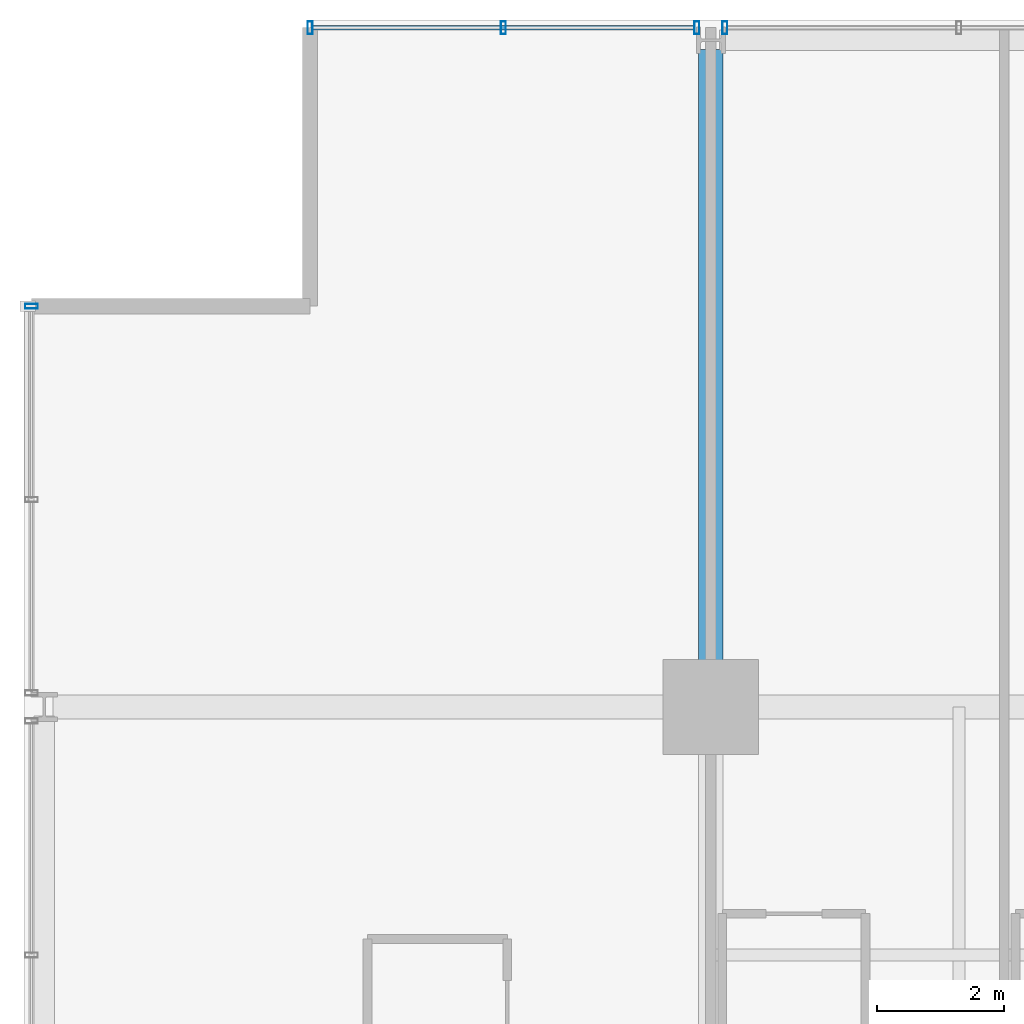
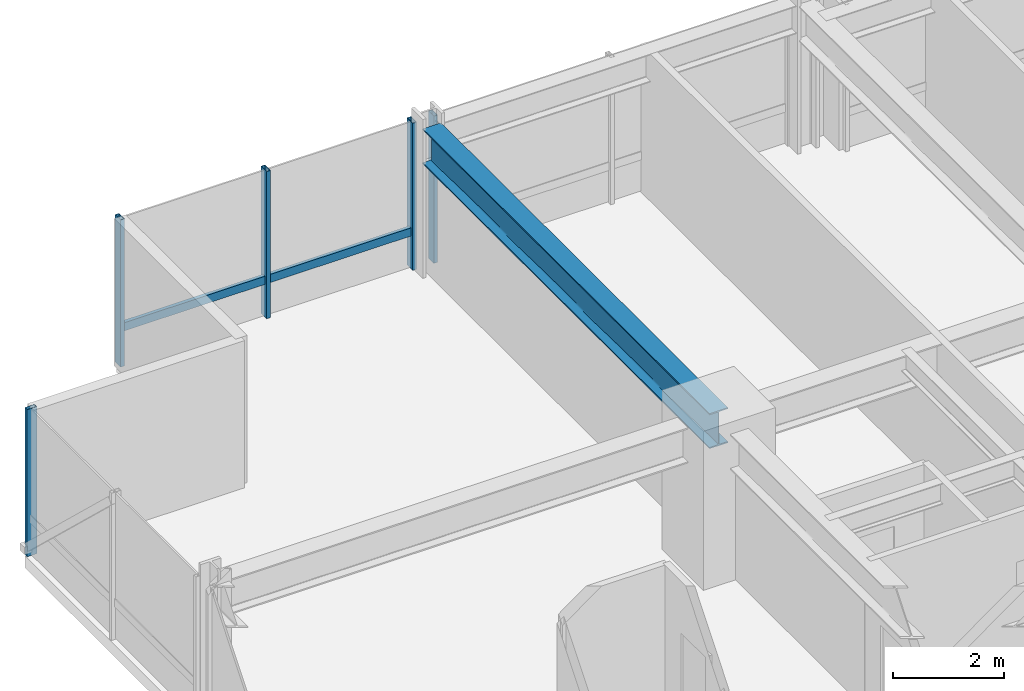
# One storey, part 20 of 34: 6 members, 1 beam, 3 elements without a shape of their own.
"""IFC4 building model written with IfcOpenShell, lengths in metres."""

from ifc_helpers import new_model, si_unit, direction, frame, origin, origin_2d, place, context, subcontext, project, spatial, hollow_rectangle, i_section, extrude, material, layer, layer_set, material_profile, profile_set, type_object, element, aggregate, save


model = new_model("IFC4")

# Units and contexts
model_context = context("Model", 3, precision=1e-05, world=origin(), true_north=direction((0.0, 1.0)))
body_context = subcontext(model_context, "Body", "Model", "MODEL_VIEW")
ifc_project = project(units=[si_unit("LENGTHUNIT", "METRE"), si_unit("AREAUNIT", "SQUARE_METRE"), si_unit("VOLUMEUNIT", "CUBIC_METRE"), si_unit("PLANEANGLEUNIT", "RADIAN"), si_unit("MASSUNIT", "GRAM", prefix="KILO")], contexts=[model_context])

# Site, building, storey
site_placement = place(None, origin())
site = spatial("IfcSite", under=ifc_project, at=site_placement, CompositionType="ELEMENT")
building_placement = place(site_placement, origin())
building = spatial("IfcBuilding", under=site, at=building_placement, Name="Drelvath Grand Hotel", CompositionType="ELEMENT")
storey_placement = place(building_placement, frame((0.0, 0.0, 91.800048828125)))
storey = spatial("IfcBuildingStorey", under=building, at=storey_placement, Name="L22", CompositionType="ELEMENT", Elevation=91.800048828125)

# Curtain wall, member
ifc_material_1 = material(Name="Champagne Bronze Anodised Aluminium Frame", Category="aluminium")
ifc_layer = layer(ifc_material_1, 0.199951171875)
ifc_layer_set = layer_set([ifc_layer], Name="Champagne Bronze Anodised Aluminium Frame")
curtain_wall_type = type_object("IfcCurtainWallType", Name="Stick Curtain Wall CW-03 Champagne Bronze Mid-Rise", PredefinedType="NOTDEFINED", material=ifc_layer_set)
curtain_wall_1_placement = place(storey_placement, origin())
curtain_wall_1 = element("IfcCurtainWall", 1, at=curtain_wall_1_placement, inside=storey, type_object=curtain_wall_type, Name="L22 CW-03 Curtain Wall CW03-L22-NW1", PredefinedType="NOTDEFINED")
ifc_material_profile_1 = material_profile(ifc_material_1, hollow_rectangle(XDim=0.074951171875, YDim=0.179931640625, WallThickness=0.0048828125, at=origin_2d()), Name="HSS180X75X5")
ifc_profile_set_1 = profile_set([ifc_material_profile_1], Name="Champagne Bronze Anodised Aluminium Frame")
member_type_1 = type_object("IfcMemberType", Name="Curtain Wall Horizontal Transom CW-03 HSS180X75X5", PredefinedType="USERDEFINED", material=ifc_profile_set_1)
member_1_placement = place(storey_placement, frame((-22.4599609375, 53.8798828125, 0.81005859375), z_axis=(1.0, 0.0, 0.0), x_axis=(0.0, 1.0, 0.0)))
member_1 = element("IfcMember", 2, at=member_1_placement, type_object=member_type_1, Name="CW03-L22-NW1 Sill Transom", ObjectType="TRANSOM", PredefinedType="USERDEFINED", context=body_context, shape_type="SweptSolid", body=[
    extrude(hollow_rectangle(XDim=0.074951171875, YDim=0.179931640625, WallThickness=0.0048828125, at=origin_2d()), origin(), (0.0, 0.0, 1.0), 6.000244140625),
])

curtain_wall_2_placement = place(storey_placement, origin())
curtain_wall_2 = element("IfcCurtainWall", 3, at=curtain_wall_2_placement, inside=storey, type_object=curtain_wall_type, Name="L22 CW-03 Curtain Wall CW03-L22-WN3", PredefinedType="NOTDEFINED")
ifc_material_profile_2 = material_profile(ifc_material_1, hollow_rectangle(XDim=0.080078125, YDim=0.199951171875, WallThickness=0.0048828125, at=origin_2d()), Name="HSS200X80X5")
ifc_profile_set_2 = profile_set([ifc_material_profile_2], Name="Champagne Bronze Anodised Aluminium Frame")
member_type_2 = type_object("IfcMemberType", Name="Curtain Wall Vertical Mullion CW-03 HSS200X80X5", PredefinedType="MULLION", material=ifc_profile_set_2)
member_2_placement = place(storey_placement, frame((-26.8798828125, 49.5, 0.0), z_axis=(0.0, 0.0, 1.0), x_axis=(0.0, 1.0, 0.0)))
member_2 = element("IfcMember", 4, at=member_2_placement, type_object=member_type_2, Name="CW03-L22-WN3 Mullion 3", PredefinedType="MULLION", context=body_context, shape_type="SweptSolid", body=[
    extrude(hollow_rectangle(XDim=0.080078125, YDim=0.199951171875, WallThickness=0.0048828125, at=origin_2d()), origin(), (0.0, 0.0, 1.0), 3.239990234375),
])
aggregate(curtain_wall_2, [member_2])

# Member
member_3_placement = place(storey_placement, frame((-22.5, 53.8798828125, 0.0), z_axis=(0.0, 0.0, 1.0), x_axis=(1.0, 0.0, 0.0)))
member_3 = element("IfcMember", 5, at=member_3_placement, type_object=member_type_2, Name="CW03-L22-NW1 Mullion 1", PredefinedType="MULLION", context=body_context, shape_type="SweptSolid", body=[
    extrude(hollow_rectangle(XDim=0.080078125, YDim=0.199951171875, WallThickness=0.0048828125, at=origin_2d()), origin(), (0.0, 0.0, 1.0), 3.239990234375),
])

member_4_placement = place(storey_placement, frame((-19.459716796875, 53.8798828125, 0.0), z_axis=(0.0, 0.0, 1.0), x_axis=(1.0, 0.0, 0.0)))
member_4 = element("IfcMember", 6, at=member_4_placement, type_object=member_type_2, Name="CW03-L22-NW1 Mullion 2", PredefinedType="MULLION", context=body_context, shape_type="SweptSolid", body=[
    extrude(hollow_rectangle(XDim=0.080078125, YDim=0.199951171875, WallThickness=0.0048828125, at=origin_2d()), origin(), (0.0, 0.0, 1.0), 3.239990234375),
])

member_5_placement = place(storey_placement, frame((-16.419677734375, 53.8798828125, 0.0), z_axis=(0.0, 0.0, 1.0), x_axis=(1.0, 0.0, 0.0)))
member_5 = element("IfcMember", 7, at=member_5_placement, type_object=member_type_2, Name="CW03-L22-NW1 Mullion 3", PredefinedType="MULLION", context=body_context, shape_type="SweptSolid", body=[
    extrude(hollow_rectangle(XDim=0.080078125, YDim=0.199951171875, WallThickness=0.0048828125, at=origin_2d()), origin(), (0.0, 0.0, 1.0), 3.239990234375),
])

aggregate(curtain_wall_1, [member_3, member_4, member_5, member_1])

# Curtain wall, member
curtain_wall_3_placement = place(storey_placement, origin())
curtain_wall_3 = element("IfcCurtainWall", 8, at=curtain_wall_3_placement, inside=storey, type_object=curtain_wall_type, Name="L22 CW-03 Curtain Wall CW03-L22-NW2", PredefinedType="NOTDEFINED")
member_6_placement = place(storey_placement, frame((-15.98046875, 53.8798828125, 0.0), z_axis=(0.0, 0.0, 1.0), x_axis=(1.0, 0.0, 0.0)))
member_6 = element("IfcMember", 9, at=member_6_placement, type_object=member_type_2, Name="CW03-L22-NW2 Mullion 1", PredefinedType="MULLION", context=body_context, shape_type="SweptSolid", body=[
    extrude(hollow_rectangle(XDim=0.080078125, YDim=0.199951171875, WallThickness=0.0048828125, at=origin_2d()), origin(), (0.0, 0.0, 1.0), 3.239990234375),
])
aggregate(curtain_wall_3, [member_6])

# Beam
ifc_material_2 = material(Name="Steel ASTM A992 Gr 50", Category="steel")
ifc_material_profile_3 = material_profile(ifc_material_2, i_section(OverallWidth=0.380615234375, OverallDepth=0.773193359375, WebThickness=0.0166015625, FlangeThickness=0.027099609375, FilletRadius=0.02490234375, at=origin_2d()), Name="W30X173")
ifc_profile_set_3 = profile_set([ifc_material_profile_3], Name="Steel ASTM A992 Gr 50")
beam_type = type_object("IfcBeamType", Name="Primary Floor Girder W30X173", PredefinedType="BEAM", material=ifc_profile_set_3)
beam_placement = place(storey_placement, frame((-16.199951171875, 43.199951171875, 2.853271484375), z_axis=(0.0, 1.0, 0.0), x_axis=(-1.0, 0.0, 0.0)))
element("IfcBeam", 10, at=beam_placement, inside=storey, type_object=beam_type, Name="L22 North Grid Girder 3", PredefinedType="BEAM", context=body_context, shape_type="SweptSolid", body=[
    extrude(i_section(OverallWidth=0.380615234375, OverallDepth=0.773193359375, WebThickness=0.0166015625, FlangeThickness=0.027099609375, FilletRadius=0.02490234375, at=origin_2d()), origin(), (0.0, 0.0, 1.0), 10.340087890625),
])

save(model, "model.ifc")
